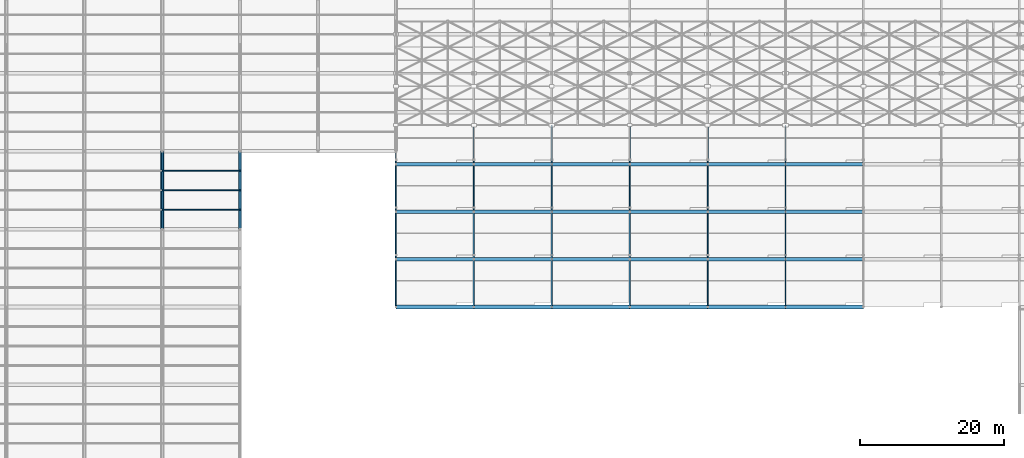
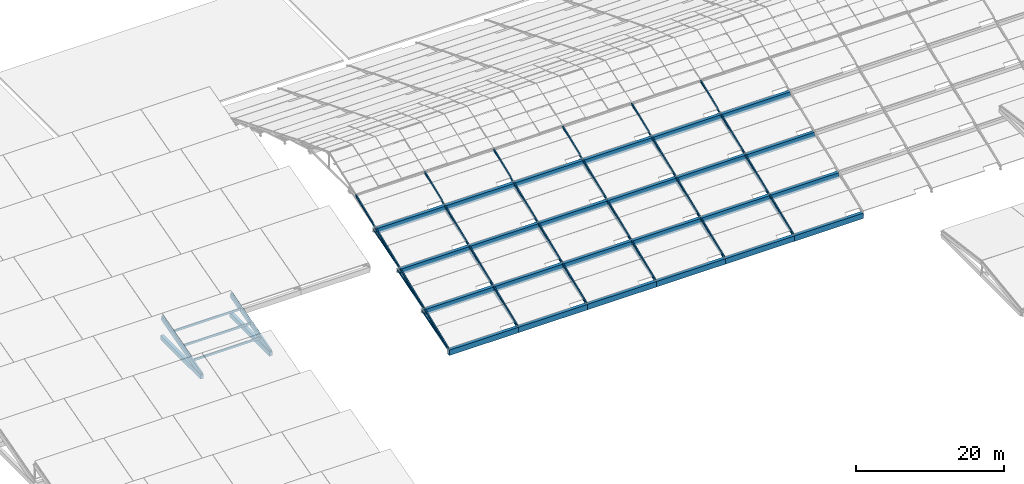
# One storey, part 17 of 112: 29 members, 26 beams.
"""IFC4 building model written with IfcOpenShell, lengths in metres."""

from ifc_helpers import new_model, si_unit, direction, frame, origin, origin_2d, place, context, subcontext, project, spatial, rectangle, hollow_rectangle, extrude, material, material_profile, profile_set, type_object, element, save


model = new_model("IFC4")

# Units and contexts
model_context = context("Model", 3, precision=1e-05, world=origin(), true_north=direction((0.0, 1.0)))
body_context = subcontext(model_context, "Body", "Model", "MODEL_VIEW")
ifc_project = project(units=[si_unit("LENGTHUNIT", "METRE"), si_unit("AREAUNIT", "SQUARE_METRE"), si_unit("VOLUMEUNIT", "CUBIC_METRE"), si_unit("PLANEANGLEUNIT", "RADIAN"), si_unit("MASSUNIT", "GRAM", prefix="KILO")], contexts=[model_context])

# Site, building, storey
site_placement = place(None, origin())
site = spatial("IfcSite", under=ifc_project, at=site_placement, CompositionType="ELEMENT")
building_placement = place(site_placement, origin())
building = spatial("IfcBuilding", under=site, at=building_placement, Name="Zwinboog Wholesale Market", CompositionType="ELEMENT")
storey_placement = place(building_placement, frame((0.0, 0.0, 19.080078125)))
storey = spatial("IfcBuildingStorey", under=building, at=storey_placement, Name="Roof", CompositionType="ELEMENT", Elevation=19.080078125)

# Beams
ifc_material_1 = material(Name="Precast concrete C45/55", Category="concrete")
ifc_material_profile_1 = material_profile(ifc_material_1, rectangle(XDim=0.449951171875, YDim=0.75, at=origin_2d()), Name="PC 450x750")
ifc_profile_set_1 = profile_set([ifc_material_profile_1], Name="Precast concrete C45/55")
beam_type_1 = type_object("IfcBeamType", Name="BT-04", PredefinedType="BEAM", material=ifc_profile_set_1)
for number, where, z_axis, x_axis, name in (
    (1, (32.39990234375, 54.0, -9.375), (0.0, 1.0, 0.0), (-1.0, 0.0, 0.0), "BG-04 (BMG-Roof-0324-0540-1236)"),
    (2, (43.199951171875, 54.0, -9.375), (0.0, 1.0, 0.0), (-1.0, 0.0, 0.0), "BG-04 (BMG-Roof-0432-0540-1246)"),
):
    element("IfcBeam", number, at=place(storey_placement, frame(where, z_axis=z_axis, x_axis=x_axis)), inside=storey, type_object=beam_type_1, Name=name, PredefinedType="BEAM", context=body_context, shape_type="SweptSolid", body=[
        extrude(rectangle(XDim=0.449951171875, YDim=0.75, at=origin_2d()), origin(), (0.0, 0.0, 1.0), 10.800048828125),
    ])
ifc_material_profile_2 = material_profile(ifc_material_1, rectangle(XDim=0.5, YDim=0.89990234375, at=origin_2d()), Name="PC 500x900")
ifc_profile_set_2 = profile_set([ifc_material_profile_2], Name="Precast concrete C45/55")
beam_type_2 = type_object("IfcBeamType", Name="BT-06", PredefinedType="BEAM", material=ifc_profile_set_2)
for number, where, z_axis, x_axis, name in (
    (3, (64.800048828125, 43.199951171875, -10.090087890625), (1.0, 0.0, 0.0), (0.0, 1.0, 0.0), "EB-01 (BMG-Roof-0648-0432-1057)"),
    (4, (64.800048828125, 49.800048828125, -7.402099609375), (1.0, 0.0, 0.0), (0.0, 1.0, 0.0), "EB-01 (BMG-Roof-0648-0498-1058)"),
    (5, (64.800048828125, 56.39990234375, -4.716064453125), (1.0, 0.0, 0.0), (0.0, 1.0, 0.0), "EB-01 (BMG-Roof-0648-0564-1059)"),
    (6, (64.800048828125, 63.0, -2.031982421875), (1.0, 0.0, 0.0), (0.0, 1.0, 0.0), "EB-01 (BMG-Roof-0648-0630-1060)"),
):
    element("IfcBeam", number, at=place(storey_placement, frame(where, z_axis=z_axis, x_axis=x_axis)), inside=storey, type_object=beam_type_2, Name=name, PredefinedType="BEAM", context=body_context, shape_type="SweptSolid", body=[
        extrude(rectangle(XDim=0.5, YDim=0.89990234375, at=origin_2d()), origin(), (0.0, 0.0, 1.0), 10.800048828125),
    ])
for number, where, z_axis, x_axis, name in (
    (7, (75.60009765625, 43.199951171875, -10.090087890625), (1.0, 0.0, 0.0), (0.0, 1.0, 0.0), "EB-01 (BMG-Roof-0756-0432-1066)"),
    (8, (75.60009765625, 49.800048828125, -7.402099609375), (1.0, 0.0, 0.0), (0.0, 1.0, 0.0), "EB-01 (BMG-Roof-0756-0498-1067)"),
    (9, (75.60009765625, 56.39990234375, -4.716064453125), (1.0, 0.0, 0.0), (0.0, 1.0, 0.0), "EB-01 (BMG-Roof-0756-0564-1068)"),
    (10, (75.60009765625, 63.0, -2.031982421875), (1.0, 0.0, 0.0), (0.0, 1.0, 0.0), "EB-01 (BMG-Roof-0756-0630-1069)"),
):
    element("IfcBeam", number, at=place(storey_placement, frame(where, z_axis=z_axis, x_axis=x_axis)), inside=storey, type_object=beam_type_2, Name=name, PredefinedType="BEAM", context=body_context, shape_type="SweptSolid", body=[
        extrude(rectangle(XDim=0.5, YDim=0.89990234375, at=origin_2d()), origin(), (0.0, 0.0, 1.0), 10.7998046875),
    ])
for number, where, z_axis, x_axis, name in (
    (11, (86.39990234375, 43.199951171875, -10.090087890625), (1.0, 0.0, 0.0), (0.0, 1.0, 0.0), "EB-01 (BMG-Roof-0864-0432-1075)"),
    (12, (86.39990234375, 49.800048828125, -7.402099609375), (1.0, 0.0, 0.0), (0.0, 1.0, 0.0), "EB-01 (BMG-Roof-0864-0498-1076)"),
    (13, (86.39990234375, 56.39990234375, -4.716064453125), (1.0, 0.0, 0.0), (0.0, 1.0, 0.0), "EB-01 (BMG-Roof-0864-0564-1077)"),
    (14, (86.39990234375, 63.0, -2.031982421875), (1.0, 0.0, 0.0), (0.0, 1.0, 0.0), "EB-01 (BMG-Roof-0864-0630-1078)"),
    (15, (97.199951171875, 43.199951171875, -10.090087890625), (1.0, 0.0, 0.0), (0.0, 1.0, 0.0), "EB-01 (BMG-Roof-0972-0432-1084)"),
    (16, (97.199951171875, 49.800048828125, -7.402099609375), (1.0, 0.0, 0.0), (0.0, 1.0, 0.0), "EB-01 (BMG-Roof-0972-0498-1085)"),
    (17, (97.199951171875, 56.39990234375, -4.716064453125), (1.0, 0.0, 0.0), (0.0, 1.0, 0.0), "EB-01 (BMG-Roof-0972-0564-1086)"),
    (18, (97.199951171875, 63.0, -2.031982421875), (1.0, 0.0, 0.0), (0.0, 1.0, 0.0), "EB-01 (BMG-Roof-0972-0630-1087)"),
    (19, (108.0, 43.199951171875, -10.090087890625), (1.0, 0.0, 0.0), (0.0, 1.0, 0.0), "EB-01 (BMG-Roof-1080-0432-1093)"),
    (20, (108.0, 49.800048828125, -7.402099609375), (1.0, 0.0, 0.0), (0.0, 1.0, 0.0), "EB-01 (BMG-Roof-1080-0498-1094)"),
    (21, (108.0, 56.39990234375, -4.716064453125), (1.0, 0.0, 0.0), (0.0, 1.0, 0.0), "EB-01 (BMG-Roof-1080-0564-1095)"),
    (22, (108.0, 63.0, -2.031982421875), (1.0, 0.0, 0.0), (0.0, 1.0, 0.0), "EB-01 (BMG-Roof-1080-0630-1096)"),
    (23, (118.800048828125, 43.199951171875, -10.090087890625), (1.0, 0.0, 0.0), (0.0, 1.0, 0.0), "EB-01 (BMG-Roof-1188-0432-1102)"),
    (24, (118.800048828125, 49.800048828125, -7.402099609375), (1.0, 0.0, 0.0), (0.0, 1.0, 0.0), "EB-01 (BMG-Roof-1188-0498-1103)"),
    (25, (118.800048828125, 56.39990234375, -4.716064453125), (1.0, 0.0, 0.0), (0.0, 1.0, 0.0), "EB-01 (BMG-Roof-1188-0564-1104)"),
    (26, (118.800048828125, 63.0, -2.031982421875), (1.0, 0.0, 0.0), (0.0, 1.0, 0.0), "EB-01 (BMG-Roof-1188-0630-1105)"),
):
    element("IfcBeam", number, at=place(storey_placement, frame(where, z_axis=z_axis, x_axis=x_axis)), inside=storey, type_object=beam_type_2, Name=name, PredefinedType="BEAM", context=body_context, shape_type="SweptSolid", body=[
        extrude(rectangle(XDim=0.5, YDim=0.89990234375, at=origin_2d()), origin(), (0.0, 0.0, 1.0), 10.800048828125),
    ])

# Members
ifc_material_2 = material(Name="Steel S355", Category="steel")
ifc_material_profile_3 = material_profile(ifc_material_2, hollow_rectangle(XDim=0.199951171875, YDim=0.300048828125, WallThickness=0.012451171875, InnerFilletRadius=0.012451171875, OuterFilletRadius=0.02490234375, at=origin_2d()), Name="RHS 300x200x12.5")
ifc_profile_set_3 = profile_set([ifc_material_profile_3], Name="Steel S355")
member_type_1 = type_object("IfcMemberType", Name="MT-01", PredefinedType="CHORD", material=ifc_profile_set_3)
member_1_placement = place(storey_placement, frame((64.800048828125, 43.199951171875, -9.580078125), z_axis=(0.0, 0.926947185036, 0.375191839135), x_axis=(-1.0, 0.0, 0.0)))
element("IfcMember", 27, at=member_1_placement, inside=storey, type_object=member_type_1, Name="DC-01 (MEM-Roof-0001)", PredefinedType="CHORD", context=body_context, shape_type="SweptSolid", body=[
    extrude(hollow_rectangle(XDim=0.199951171875, YDim=0.300048828125, WallThickness=0.012451171875, InnerFilletRadius=0.012451171875, OuterFilletRadius=0.02490234375, at=origin_2d()), origin(), (0.0, 0.0, 1.0), 27.18603515625),
])
for number, where, z_axis, x_axis, name in (
    (28, (64.800048828125, 43.199951171875, -9.7001953125), (0.0, 0.958185911438, 0.286146394562), (-1.0, 0.0, 0.0), "DC-01 (MEM-Roof-0004)"),
    (29, (64.800048828125, 49.800048828125, -7.0), (0.0, 0.958194819429, 0.286116563694), (-1.0, 0.0, 0.0), "DC-01 (MEM-Roof-0007)"),
):
    element("IfcMember", number, at=place(storey_placement, frame(where, z_axis=z_axis, x_axis=x_axis)), inside=storey, type_object=member_type_1, Name=name, PredefinedType="CHORD", context=body_context, shape_type="SweptSolid", body=[
        extrude(hollow_rectangle(XDim=0.199951171875, YDim=0.300048828125, WallThickness=0.012451171875, InnerFilletRadius=0.012451171875, OuterFilletRadius=0.02490234375, at=origin_2d()), origin(), (0.0, 0.0, 1.0), 7.51416015625),
    ])
member_2_placement = place(storey_placement, frame((75.60009765625, 43.199951171875, -9.580078125), z_axis=(0.0, 0.926947185036, 0.375191839135), x_axis=(-1.0, 0.0, 0.0)))
element("IfcMember", 30, at=member_2_placement, inside=storey, type_object=member_type_1, Name="DC-01 (MEM-Roof-0031)", PredefinedType="CHORD", context=body_context, shape_type="SweptSolid", body=[
    extrude(hollow_rectangle(XDim=0.199951171875, YDim=0.300048828125, WallThickness=0.012451171875, InnerFilletRadius=0.012451171875, OuterFilletRadius=0.02490234375, at=origin_2d()), origin(), (0.0, 0.0, 1.0), 27.18603515625),
])
for number, where, z_axis, x_axis, name in (
    (31, (75.60009765625, 43.199951171875, -9.7001953125), (0.0, 0.958185911438, 0.286146394562), (-1.0, 0.0, 0.0), "DC-01 (MEM-Roof-0034)"),
    (32, (75.60009765625, 49.800048828125, -7.0), (0.0, 0.958194819429, 0.286116563694), (-1.0, 0.0, 0.0), "DC-01 (MEM-Roof-0037)"),
):
    element("IfcMember", number, at=place(storey_placement, frame(where, z_axis=z_axis, x_axis=x_axis)), inside=storey, type_object=member_type_1, Name=name, PredefinedType="CHORD", context=body_context, shape_type="SweptSolid", body=[
        extrude(hollow_rectangle(XDim=0.199951171875, YDim=0.300048828125, WallThickness=0.012451171875, InnerFilletRadius=0.012451171875, OuterFilletRadius=0.02490234375, at=origin_2d()), origin(), (0.0, 0.0, 1.0), 7.51416015625),
    ])
member_3_placement = place(storey_placement, frame((86.39990234375, 43.199951171875, -9.580078125), z_axis=(0.0, 0.926947185036, 0.375191839135), x_axis=(-1.0, 0.0, 0.0)))
element("IfcMember", 33, at=member_3_placement, inside=storey, type_object=member_type_1, Name="DC-01 (MEM-Roof-0061)", PredefinedType="CHORD", context=body_context, shape_type="SweptSolid", body=[
    extrude(hollow_rectangle(XDim=0.199951171875, YDim=0.300048828125, WallThickness=0.012451171875, InnerFilletRadius=0.012451171875, OuterFilletRadius=0.02490234375, at=origin_2d()), origin(), (0.0, 0.0, 1.0), 27.18603515625),
])
for number, where, z_axis, x_axis, name in (
    (34, (86.39990234375, 43.199951171875, -9.7001953125), (0.0, 0.958185911438, 0.286146394562), (-1.0, 0.0, 0.0), "DC-01 (MEM-Roof-0064)"),
    (35, (86.39990234375, 49.800048828125, -7.0), (0.0, 0.958194819429, 0.286116563694), (-1.0, 0.0, 0.0), "DC-01 (MEM-Roof-0067)"),
):
    element("IfcMember", number, at=place(storey_placement, frame(where, z_axis=z_axis, x_axis=x_axis)), inside=storey, type_object=member_type_1, Name=name, PredefinedType="CHORD", context=body_context, shape_type="SweptSolid", body=[
        extrude(hollow_rectangle(XDim=0.199951171875, YDim=0.300048828125, WallThickness=0.012451171875, InnerFilletRadius=0.012451171875, OuterFilletRadius=0.02490234375, at=origin_2d()), origin(), (0.0, 0.0, 1.0), 7.51416015625),
    ])
member_4_placement = place(storey_placement, frame((97.199951171875, 43.199951171875, -9.580078125), z_axis=(0.0, 0.926947185036, 0.375191839135), x_axis=(-1.0, 0.0, 0.0)))
element("IfcMember", 36, at=member_4_placement, inside=storey, type_object=member_type_1, Name="DC-01 (MEM-Roof-0091)", PredefinedType="CHORD", context=body_context, shape_type="SweptSolid", body=[
    extrude(hollow_rectangle(XDim=0.199951171875, YDim=0.300048828125, WallThickness=0.012451171875, InnerFilletRadius=0.012451171875, OuterFilletRadius=0.02490234375, at=origin_2d()), origin(), (0.0, 0.0, 1.0), 27.18603515625),
])
for number, where, z_axis, x_axis, name in (
    (37, (97.199951171875, 43.199951171875, -9.7001953125), (0.0, 0.958185911438, 0.286146394562), (-1.0, 0.0, 0.0), "DC-01 (MEM-Roof-0094)"),
    (38, (97.199951171875, 49.800048828125, -7.0), (0.0, 0.958194819429, 0.286116563694), (-1.0, 0.0, 0.0), "DC-01 (MEM-Roof-0097)"),
):
    element("IfcMember", number, at=place(storey_placement, frame(where, z_axis=z_axis, x_axis=x_axis)), inside=storey, type_object=member_type_1, Name=name, PredefinedType="CHORD", context=body_context, shape_type="SweptSolid", body=[
        extrude(hollow_rectangle(XDim=0.199951171875, YDim=0.300048828125, WallThickness=0.012451171875, InnerFilletRadius=0.012451171875, OuterFilletRadius=0.02490234375, at=origin_2d()), origin(), (0.0, 0.0, 1.0), 7.51416015625),
    ])
member_5_placement = place(storey_placement, frame((108.0, 43.199951171875, -9.580078125), z_axis=(0.0, 0.926947185036, 0.375191839135), x_axis=(-1.0, 0.0, 0.0)))
element("IfcMember", 39, at=member_5_placement, inside=storey, type_object=member_type_1, Name="DC-01 (MEM-Roof-0121)", PredefinedType="CHORD", context=body_context, shape_type="SweptSolid", body=[
    extrude(hollow_rectangle(XDim=0.199951171875, YDim=0.300048828125, WallThickness=0.012451171875, InnerFilletRadius=0.012451171875, OuterFilletRadius=0.02490234375, at=origin_2d()), origin(), (0.0, 0.0, 1.0), 27.18603515625),
])
for number, where, z_axis, x_axis, name in (
    (40, (108.0, 43.199951171875, -9.7001953125), (0.0, 0.958185911438, 0.286146394562), (-1.0, 0.0, 0.0), "DC-01 (MEM-Roof-0124)"),
    (41, (108.0, 49.800048828125, -7.0), (0.0, 0.958194819429, 0.286116563694), (-1.0, 0.0, 0.0), "DC-01 (MEM-Roof-0127)"),
):
    element("IfcMember", number, at=place(storey_placement, frame(where, z_axis=z_axis, x_axis=x_axis)), inside=storey, type_object=member_type_1, Name=name, PredefinedType="CHORD", context=body_context, shape_type="SweptSolid", body=[
        extrude(hollow_rectangle(XDim=0.199951171875, YDim=0.300048828125, WallThickness=0.012451171875, InnerFilletRadius=0.012451171875, OuterFilletRadius=0.02490234375, at=origin_2d()), origin(), (0.0, 0.0, 1.0), 7.51416015625),
    ])
member_6_placement = place(storey_placement, frame((118.800048828125, 43.199951171875, -9.580078125), z_axis=(0.0, 0.926947185036, 0.375191839135), x_axis=(-1.0, 0.0, 0.0)))
element("IfcMember", 42, at=member_6_placement, inside=storey, type_object=member_type_1, Name="DC-01 (MEM-Roof-0151)", PredefinedType="CHORD", context=body_context, shape_type="SweptSolid", body=[
    extrude(hollow_rectangle(XDim=0.199951171875, YDim=0.300048828125, WallThickness=0.012451171875, InnerFilletRadius=0.012451171875, OuterFilletRadius=0.02490234375, at=origin_2d()), origin(), (0.0, 0.0, 1.0), 27.18603515625),
])
for number, where, z_axis, x_axis, name in (
    (43, (118.800048828125, 43.199951171875, -9.7001953125), (0.0, 0.958185911438, 0.286146394562), (-1.0, 0.0, 0.0), "DC-01 (MEM-Roof-0154)"),
    (44, (118.800048828125, 49.800048828125, -7.0), (0.0, 0.958194819429, 0.286116563694), (-1.0, 0.0, 0.0), "DC-01 (MEM-Roof-0157)"),
):
    element("IfcMember", number, at=place(storey_placement, frame(where, z_axis=z_axis, x_axis=x_axis)), inside=storey, type_object=member_type_1, Name=name, PredefinedType="CHORD", context=body_context, shape_type="SweptSolid", body=[
        extrude(hollow_rectangle(XDim=0.199951171875, YDim=0.300048828125, WallThickness=0.012451171875, InnerFilletRadius=0.012451171875, OuterFilletRadius=0.02490234375, at=origin_2d()), origin(), (0.0, 0.0, 1.0), 7.51416015625),
    ])
ifc_material_profile_4 = material_profile(ifc_material_2, hollow_rectangle(XDim=0.14990234375, YDim=0.25, WallThickness=0.010009765625, InnerFilletRadius=0.010009765625, OuterFilletRadius=0.02001953125, at=origin_2d()), Name="RHS 250x150x10")
ifc_profile_set_4 = profile_set([ifc_material_profile_4], Name="Steel S355")
member_type_2 = type_object("IfcMemberType", Name="MT-02", PredefinedType="CHORD", material=ifc_profile_set_4)
for number, where, z_axis, x_axis, name in (
    (45, (64.800048828125, 56.39990234375, -4.300048828125), (0.0, 0.958197479113, 0.28610765635), (-1.0, 0.0, 0.0), "DC-02 (MEM-Roof-0010)"),
    (46, (75.60009765625, 56.39990234375, -4.300048828125), (0.0, 0.958197479113, 0.28610765635), (-1.0, 0.0, 0.0), "DC-02 (MEM-Roof-0040)"),
    (47, (86.39990234375, 56.39990234375, -4.300048828125), (0.0, 0.958197479113, 0.28610765635), (-1.0, 0.0, 0.0), "DC-02 (MEM-Roof-0070)"),
    (48, (97.199951171875, 56.39990234375, -4.300048828125), (0.0, 0.958197479113, 0.28610765635), (-1.0, 0.0, 0.0), "DC-02 (MEM-Roof-0100)"),
    (49, (108.0, 56.39990234375, -4.300048828125), (0.0, 0.958197479113, 0.28610765635), (-1.0, 0.0, 0.0), "DC-02 (MEM-Roof-0130)"),
    (50, (118.800048828125, 56.39990234375, -4.300048828125), (0.0, 0.958197479113, 0.28610765635), (-1.0, 0.0, 0.0), "DC-02 (MEM-Roof-0160)"),
):
    element("IfcMember", number, at=place(storey_placement, frame(where, z_axis=z_axis, x_axis=x_axis)), inside=storey, type_object=member_type_2, Name=name, PredefinedType="CHORD", context=body_context, shape_type="SweptSolid", body=[
        extrude(hollow_rectangle(XDim=0.14990234375, YDim=0.25, WallThickness=0.010009765625, InnerFilletRadius=0.010009765625, OuterFilletRadius=0.02001953125, at=origin_2d()), origin(), (0.0, 0.0, 1.0), 7.514404296875),
    ])
ifc_material_3 = material(Name="Glulam GL28h", Category="wood")
ifc_material_profile_5 = material_profile(ifc_material_3, rectangle(XDim=0.239990234375, YDim=0.840087890625, at=origin_2d()), Name="GL28h 240x840")
ifc_profile_set_5 = profile_set([ifc_material_profile_5], Name="Glulam GL28h")
member_type_3 = type_object("IfcMemberType", Name="MT-09", PredefinedType="RAFTER", material=ifc_profile_set_5)
for number, where, z_axis, x_axis, name in (
    (51, (32.39990234375, 54.0, -9.11328125), (0.0, 0.963518221675, 0.26764274042), (-1.0, 0.0, 0.0), "GR-01 (MEM-Roof-0769)"),
    (52, (43.199951171875, 54.0, -9.11328125), (0.0, 0.963518221675, 0.26764274042), (-1.0, 0.0, 0.0), "GR-01 (MEM-Roof-0771)"),
):
    element("IfcMember", number, at=place(storey_placement, frame(where, z_axis=z_axis, x_axis=x_axis)), inside=storey, type_object=member_type_3, Name=name, PredefinedType="RAFTER", context=body_context, shape_type="SweptSolid", body=[
        extrude(rectangle(XDim=0.239990234375, YDim=0.840087890625, at=origin_2d()), origin(), (0.0, 0.0, 1.0), 11.208984375),
    ])
ifc_material_profile_6 = material_profile(ifc_material_3, rectangle(XDim=0.159912109375, YDim=0.360107421875, at=origin_2d()), Name="GL28h 160x360")
ifc_profile_set_6 = profile_set([ifc_material_profile_6], Name="Glulam GL28h")
member_type_4 = type_object("IfcMemberType", Name="MT-12", PredefinedType="PURLIN", material=ifc_profile_set_6)
for number, where, z_axis, x_axis, name in (
    (53, (32.39990234375, 56.699951171875, -8.333251953125), (1.0, 0.0, 0.0), (0.0, 1.0, 0.0), "GP-01 (MEM-Roof-0772)"),
    (54, (32.39990234375, 62.10009765625, -6.833251953125), (1.0, 0.0, 0.0), (0.0, 1.0, 0.0), "GP-01 (MEM-Roof-0773)"),
    (55, (32.39990234375, 59.39990234375, -7.583251953125), (1.0, 0.0, 0.0), (0.0, 1.0, 0.0), "GP-01 (MEM-PRL-Roof-0024)"),
):
    element("IfcMember", number, at=place(storey_placement, frame(where, z_axis=z_axis, x_axis=x_axis)), inside=storey, type_object=member_type_4, Name=name, PredefinedType="PURLIN", context=body_context, shape_type="SweptSolid", body=[
        extrude(rectangle(XDim=0.159912109375, YDim=0.360107421875, at=origin_2d()), origin(), (0.0, 0.0, 1.0), 10.800048828125),
    ])

save(model, "model.ifc")
